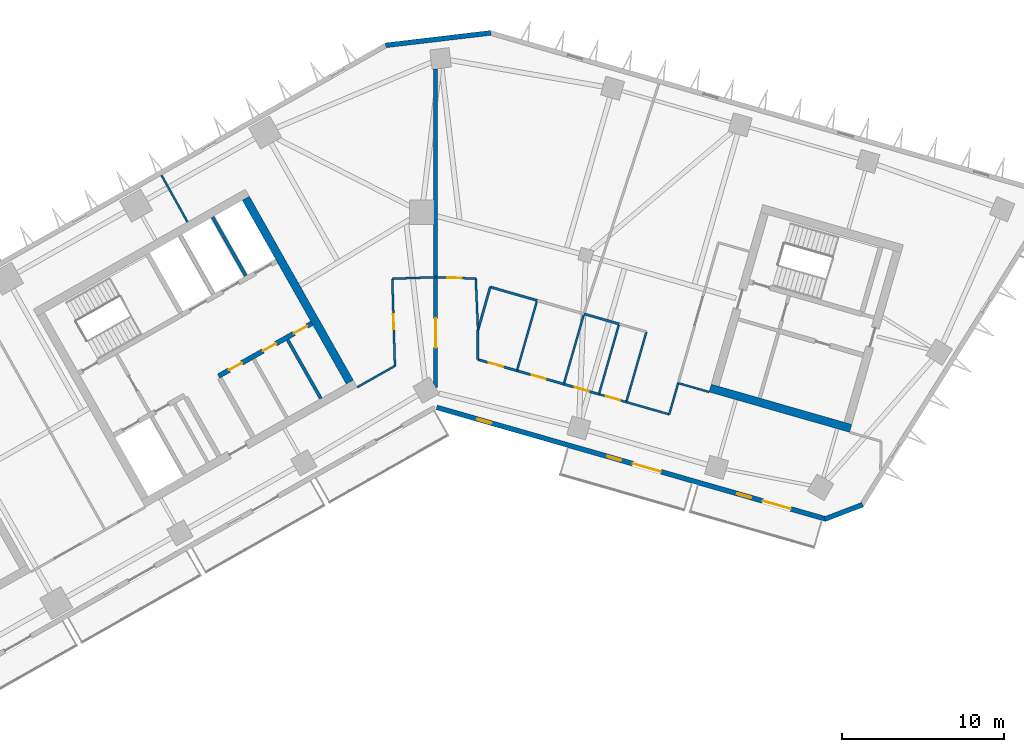
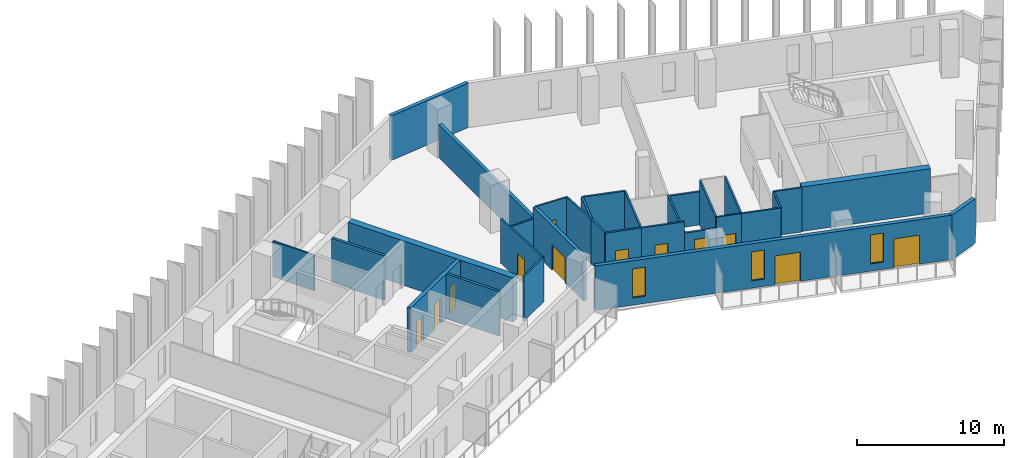
# One storey, part 5 of 10: 31 walls, 12 doors, 3 windows, 15 openings.
"""IFC4 building model written with IfcOpenShell, lengths in metres."""

from ifc_helpers import new_model, si_unit, direction, frame, frame_2d, origin, place, context, subcontext, project, spatial, rectangle, extrude, material, layer, layer_set, type_object, element, fill, save


model = new_model("IFC4")

# Units and contexts
model_context = context("Model", 3, precision=1e-05, world=origin(), true_north=direction((0.0, 1.0)))
body_context = subcontext(model_context, "Body", "Model", "MODEL_VIEW")
ifc_project = project(units=[si_unit("LENGTHUNIT", "METRE"), si_unit("AREAUNIT", "SQUARE_METRE"), si_unit("VOLUMEUNIT", "CUBIC_METRE"), si_unit("PLANEANGLEUNIT", "RADIAN"), si_unit("MASSUNIT", "GRAM", prefix="KILO")], contexts=[model_context])

# Site, building, storey
site_placement = place(None, origin())
site = spatial("IfcSite", under=ifc_project, at=site_placement, CompositionType="ELEMENT")
building_placement = place(site_placement, origin())
building = spatial("IfcBuilding", under=site, at=building_placement, Name="Binnacle Exchange Tower", CompositionType="ELEMENT")
storey_placement = place(building_placement, frame((0.0, 0.0, 186.89990234375)))
storey = spatial("IfcBuildingStorey", under=building, at=storey_placement, Name="L40", CompositionType="ELEMENT", Elevation=186.89990234375)

# Wall
ifc_material_1 = material(Name="Gypsum partition fire rated")
ifc_layer_1 = layer(ifc_material_1, 0.199951171875)
ifc_layer_set_1 = layer_set([ifc_layer_1], Name="Core partition 200")
wall_type_1 = type_object("IfcWallType", Name="Core partition 200", PredefinedType="PARTITIONING", material=ifc_layer_set_1)
wall_1_placement = place(storey_placement, frame((-9.11279296875, 52.14404296875, 0.0), z_axis=(0.0, 0.0, 1.0), x_axis=(0.492396453737, -0.870371031427, 0.0)))
element("IfcWall", 1, at=wall_1_placement, inside=storey, type_object=wall_type_1, Name="Core wall CRWC22", PredefinedType="PARTITIONING", context=body_context, shape_type="SweptSolid", body=[
    extrude(rectangle(XDim=4.14990234375, YDim=0.199951171875, at=frame_2d((2.074951171875, 0.0))), origin(), (0.0, 0.0, 1.0), 3.68017578125),
])

# Wall, openings, doors
ifc_material_2 = material(Name="Concrete C70/85", Category="concrete")
ifc_layer_2 = layer(ifc_material_2, 0.300048828125)
ifc_layer_set_2 = layer_set([ifc_layer_2], Name="Core wall - front 300")
wall_type_2 = type_object("IfcWallType", Name="Core wall - front 300", PredefinedType="SOLIDWALL", material=ifc_layer_set_2)
wall_2_placement = place(storey_placement, frame((-13.364501953125, 49.910888671875, 0.0), z_axis=(0.0, 0.0, 1.0), x_axis=(0.870356769198, 0.492421663121, 0.0)))
wall_2 = element("IfcWall", 2, at=wall_2_placement, inside=storey, type_object=wall_type_2, Name="Core wall CRWC3", PredefinedType="SOLIDWALL", context=body_context, shape_type="SweptSolid", body=[
    extrude(rectangle(XDim=6.60009765625, YDim=0.300048828125, at=frame_2d((3.300048828125, 0.0))), origin(), (0.0, 0.0, 1.0), 3.68017578125),
])
opening_1_placement = place(wall_2_placement, frame((0.75, 0.0, 0.0)))
opening_1 = element("IfcOpeningElement", 3, at=opening_1_placement, cuts=wall_2, Name="Opening DC18", PredefinedType="OPENING", context=body_context, shape_type="SweptSolid", body=[
    extrude(rectangle(XDim=0.89990234375, YDim=2.10009765625, at=frame_2d((0.449951171875, 1.050048828125))), frame((0.0, 0.159912109375, 0.0), z_axis=(0.0, -1.0, 0.0), x_axis=(1.0, 0.0, 0.0)), (0.0, 0.0, 1.0), 0.320068359375),
])
opening_2_placement = place(wall_2_placement, frame((3.14990234375, 0.0, 0.0)))
opening_2 = element("IfcOpeningElement", 4, at=opening_2_placement, cuts=wall_2, Name="Opening DC19", PredefinedType="OPENING", context=body_context, shape_type="SweptSolid", body=[
    extrude(rectangle(XDim=0.89990234375, YDim=2.10009765625, at=frame_2d((0.449951171875, 1.050048828125))), frame((0.0, 0.159912109375, 0.0), z_axis=(0.0, -1.0, 0.0), x_axis=(1.0, 0.0, 0.0)), (0.0, 0.0, 1.0), 0.320068359375),
])
opening_3_placement = place(wall_2_placement, frame((5.35009765625, 0.0, 0.0)))
opening_3 = element("IfcOpeningElement", 5, at=opening_3_placement, cuts=wall_2, Name="Opening DC20", PredefinedType="OPENING", context=body_context, shape_type="SweptSolid", body=[
    extrude(rectangle(XDim=0.89990234375, YDim=2.10009765625, at=frame_2d((0.449951171875, 1.050048828125))), frame((0.0, 0.159912109375, 0.0), z_axis=(0.0, -1.0, 0.0), x_axis=(1.0, 0.0, 0.0)), (0.0, 0.0, 1.0), 0.320068359375),
])
ifc_material_3 = material(Name="Steel door leaf", Category="steel")
door_type_1 = type_object("IfcDoorType", Name="Fire door 900", OperationType="NOTDEFINED", PredefinedType="DOOR", material=ifc_material_3)
door_1_placement = place(opening_1_placement, frame((0.89990234375, 0.0, 0.0), z_axis=(0.0, 0.0, 1.0), x_axis=(-1.0, 0.0, 0.0)))
door_1 = element("IfcDoor", 6, at=door_1_placement, inside=storey, type_object=door_type_1, Name="Core room door FIBRE ENTRY ROOM", OperationType="SINGLE_SWING_RIGHT", OverallHeight=2.10009765625, OverallWidth=0.89990234375, PredefinedType="DOOR", context=body_context, shape_type="SweptSolid", body=[
    extrude(rectangle(XDim=0.89990234375, YDim=2.10009765625, at=frame_2d((0.449951171875, 1.050048828125))), frame((0.0, 0.02490234375, 0.0), z_axis=(0.0, -1.0, 0.0), x_axis=(1.0, 0.0, 0.0)), (0.0, 0.0, 1.0), 0.050048828125),
])
fill(opening_1, door_1)
door_2_placement = place(opening_2_placement, frame((0.89990234375, 0.0, 0.0), z_axis=(0.0, 0.0, 1.0), x_axis=(-1.0, 0.0, 0.0)))
door_2 = element("IfcDoor", 7, at=door_2_placement, inside=storey, type_object=door_type_1, Name="Core room door ELECTRICAL ROOM", OperationType="SINGLE_SWING_LEFT", OverallHeight=2.10009765625, OverallWidth=0.89990234375, PredefinedType="DOOR", context=body_context, shape_type="SweptSolid", body=[
    extrude(rectangle(XDim=0.89990234375, YDim=2.10009765625, at=frame_2d((0.449951171875, 1.050048828125))), frame((0.0, 0.02490234375, 0.0), z_axis=(0.0, -1.0, 0.0), x_axis=(1.0, 0.0, 0.0)), (0.0, 0.0, 1.0), 0.050048828125),
])
fill(opening_2, door_2)
door_3_placement = place(opening_3_placement, frame((0.89990234375, 0.0, 0.0), z_axis=(0.0, 0.0, 1.0), x_axis=(-1.0, 0.0, 0.0)))
door_3 = element("IfcDoor", 8, at=door_3_placement, inside=storey, type_object=door_type_1, Name="Core room door COMMS RISER ROOM", OperationType="SINGLE_SWING_LEFT", OverallHeight=2.10009765625, OverallWidth=0.89990234375, PredefinedType="DOOR", context=body_context, shape_type="SweptSolid", body=[
    extrude(rectangle(XDim=0.89990234375, YDim=2.10009765625, at=frame_2d((0.449951171875, 1.050048828125))), frame((0.0, 0.02490234375, 0.0), z_axis=(0.0, -1.0, 0.0), x_axis=(1.0, 0.0, 0.0)), (0.0, 0.0, 1.0), 0.050048828125),
])
fill(opening_3, door_3)

# Walls
ifc_layer_3 = layer(ifc_material_2, 0.5)
ifc_layer_set_3 = layer_set([ifc_layer_3], Name="Core wall - outer 500")
wall_type_3 = type_object("IfcWallType", Name="Core wall - outer 500", PredefinedType="SOLIDWALL", material=ifc_layer_set_3)
wall_3_placement = place(storey_placement, frame((-11.686767578125, 60.856201171875, 0.0), z_axis=(0.0, 0.0, 1.0), x_axis=(0.492427267353, -0.870353598469, 0.0)))
element("IfcWall", 9, at=wall_3_placement, inside=storey, type_object=wall_type_3, Name="Core wall CRWC24", PredefinedType="SOLIDWALL", context=body_context, shape_type="SweptSolid", body=[
    extrude(rectangle(XDim=13.0, YDim=0.5, at=frame_2d((6.5, 0.0))), origin(), (0.0, 0.0, 1.0), 3.68017578125),
])
wall_4_placement = place(storey_placement, frame((16.896728515625, 49.173095703125, 0.0), z_axis=(0.0, 0.0, 1.0), x_axis=(0.96126248289, -0.275634611374, 0.0)))
element("IfcWall", 10, at=wall_4_placement, inside=storey, type_object=wall_type_3, Name="Core wall CRWD1", PredefinedType="SOLIDWALL", context=body_context, shape_type="SweptSolid", body=[
    extrude(rectangle(XDim=9.0, YDim=0.5, at=frame_2d((4.5, 0.0))), origin(), (0.0, 0.0, 1.0), 3.68017578125),
])

# Wall, openings, doors, windows
ifc_material_4 = material(Name="Bronze aluminium cladding", Category="aluminium")
ifc_layer_4 = layer(ifc_material_4, 0.300048828125)
ifc_layer_set_4 = layer_set([ifc_layer_4], Name="External wall - spandrel 300")
wall_type_4 = type_object("IfcWallType", Name="External wall - spandrel 300", PredefinedType="STANDARD", material=ifc_layer_set_4)
wall_5_placement = place(storey_placement, frame((24.04248046875, 41.10595703125, 0.0), z_axis=(0.0, 0.0, 1.0), x_axis=(-0.961261693976, 0.275637362661, 0.0)))
wall_5 = element("IfcWall", 11, at=wall_5_placement, inside=storey, type_object=wall_type_4, Name="External wall EW-G02 L40", PredefinedType="STANDARD", context=body_context, shape_type="SweptSolid", body=[
    extrude(rectangle(XDim=24.948486328125, YDim=0.300048828125, at=frame_2d((12.47412109375, 0.0))), origin(), (0.0, 0.0, 1.0), 3.68017578125),
])
opening_4_placement = place(wall_5_placement, frame((21.441162109375, 0.0, 0.60009765625)))
opening_4 = element("IfcOpeningElement", 12, at=opening_4_placement, cuts=wall_5, Name="Opening WS3", PredefinedType="OPENING", context=body_context, shape_type="SweptSolid", body=[
    extrude(rectangle(XDim=0.89990234375, YDim=2.39990234375, at=frame_2d((0.449951171875, 1.199951171875))), frame((0.0, 0.159912109375, 0.0), z_axis=(0.0, -1.0, 0.0), x_axis=(1.0, 0.0, 0.0)), (0.0, 0.0, 1.0), 0.320068359375),
])
opening_5_placement = place(wall_5_placement, frame((13.120849609375, 0.0, 0.60009765625)))
opening_5 = element("IfcOpeningElement", 13, at=opening_5_placement, cuts=wall_5, Name="Opening WS3", PredefinedType="OPENING", context=body_context, shape_type="SweptSolid", body=[
    extrude(rectangle(XDim=0.89990234375, YDim=2.39990234375, at=frame_2d((0.449951171875, 1.199951171875))), frame((0.0, 0.159912109375, 0.0), z_axis=(0.0, -1.0, 0.0), x_axis=(1.0, 0.0, 0.0)), (0.0, 0.0, 1.0), 0.320068359375),
])
opening_6_placement = place(wall_5_placement, frame((10.5908203125, 0.0, 0.0)))
opening_6 = element("IfcOpeningElement", 14, at=opening_6_placement, cuts=wall_5, Name="Opening D-FS11-06", PredefinedType="OPENING", context=body_context, shape_type="SweptSolid", body=[
    extrude(rectangle(XDim=1.800048828125, YDim=2.39990234375, at=frame_2d((0.89990234375, 1.199951171875))), frame((0.0, 0.159912109375, 0.0), z_axis=(0.0, -1.0, 0.0), x_axis=(1.0, 0.0, 0.0)), (0.0, 0.0, 1.0), 0.320068359375),
])
opening_7_placement = place(wall_5_placement, frame((4.80029296875, 0.0, 0.60009765625)))
opening_7 = element("IfcOpeningElement", 15, at=opening_7_placement, cuts=wall_5, Name="Opening WS3", PredefinedType="OPENING", context=body_context, shape_type="SweptSolid", body=[
    extrude(rectangle(XDim=0.89990234375, YDim=2.39990234375, at=frame_2d((0.449951171875, 1.199951171875))), frame((0.0, 0.159912109375, 0.0), z_axis=(0.0, -1.0, 0.0), x_axis=(1.0, 0.0, 0.0)), (0.0, 0.0, 1.0), 0.320068359375),
])
opening_8_placement = place(wall_5_placement, frame((2.270263671875, 0.0, 0.0)))
opening_8 = element("IfcOpeningElement", 16, at=opening_8_placement, cuts=wall_5, Name="Opening D-FS11-07", PredefinedType="OPENING", context=body_context, shape_type="SweptSolid", body=[
    extrude(rectangle(XDim=1.800048828125, YDim=2.39990234375, at=frame_2d((0.89990234375, 1.199951171875))), frame((0.0, 0.159912109375, 0.0), z_axis=(0.0, -1.0, 0.0), x_axis=(1.0, 0.0, 0.0)), (0.0, 0.0, 1.0), 0.320068359375),
])
ifc_material_5 = material(Name="Bronze anodised aluminium frame", Category="aluminium")
door_type_2 = type_object("IfcDoorType", Name="DB DOOR 1800x2400", OperationType="DOUBLE_DOOR_SINGLE_SWING", PredefinedType="DOOR", material=ifc_material_5)
door_4_placement = place(opening_6_placement, origin())
door_4 = element("IfcDoor", 17, at=door_4_placement, inside=storey, type_object=door_type_2, Name="Door D-FS11-06 L40", OperationType="DOUBLE_DOOR_SINGLE_SWING", OverallHeight=2.39990234375, OverallWidth=1.800048828125, PredefinedType="DOOR", context=body_context, shape_type="SweptSolid", body=[
    extrude(rectangle(XDim=1.800048828125, YDim=2.39990234375, at=frame_2d((0.89990234375, 1.199951171875))), frame((0.0, 0.02490234375, 0.0), z_axis=(0.0, -1.0, 0.0), x_axis=(1.0, 0.0, 0.0)), (0.0, 0.0, 1.0), 0.050048828125),
])
fill(opening_6, door_4)
door_5_placement = place(opening_8_placement, origin())
door_5 = element("IfcDoor", 18, at=door_5_placement, inside=storey, type_object=door_type_2, Name="Door D-FS11-07 L40", OperationType="DOUBLE_DOOR_SINGLE_SWING", OverallHeight=2.39990234375, OverallWidth=1.800048828125, PredefinedType="DOOR", context=body_context, shape_type="SweptSolid", body=[
    extrude(rectangle(XDim=1.800048828125, YDim=2.39990234375, at=frame_2d((0.89990234375, 1.199951171875))), frame((0.0, 0.02490234375, 0.0), z_axis=(0.0, -1.0, 0.0), x_axis=(1.0, 0.0, 0.0)), (0.0, 0.0, 1.0), 0.050048828125),
])
fill(opening_8, door_5)
window_type = type_object("IfcWindowType", Name="WS3 WINDOW 900x2400", PartitioningType="SINGLE_PANEL", PredefinedType="WINDOW", material=ifc_material_5)
window_1_placement = place(opening_4_placement, origin())
window_1 = element("IfcWindow", 19, at=window_1_placement, inside=storey, type_object=window_type, Name="Window WS3 L40", OverallHeight=2.39990234375, OverallWidth=0.89990234375, PartitioningType="SINGLE_PANEL", PredefinedType="WINDOW", context=body_context, shape_type="SweptSolid", body=[
    extrude(rectangle(XDim=0.89990234375, YDim=2.39990234375, at=frame_2d((0.449951171875, 1.199951171875))), frame((0.0, 0.030029296875, 0.0), z_axis=(0.0, -1.0, 0.0), x_axis=(1.0, 0.0, 0.0)), (0.0, 0.0, 1.0), 0.06005859375),
])
fill(opening_4, window_1)
window_2_placement = place(opening_5_placement, origin())
window_2 = element("IfcWindow", 20, at=window_2_placement, inside=storey, type_object=window_type, Name="Window WS3 L40", OverallHeight=2.39990234375, OverallWidth=0.89990234375, PartitioningType="SINGLE_PANEL", PredefinedType="WINDOW", context=body_context, shape_type="SweptSolid", body=[
    extrude(rectangle(XDim=0.89990234375, YDim=2.39990234375, at=frame_2d((0.449951171875, 1.199951171875))), frame((0.0, 0.030029296875, 0.0), z_axis=(0.0, -1.0, 0.0), x_axis=(1.0, 0.0, 0.0)), (0.0, 0.0, 1.0), 0.06005859375),
])
fill(opening_5, window_2)
window_3_placement = place(opening_7_placement, origin())
window_3 = element("IfcWindow", 21, at=window_3_placement, inside=storey, type_object=window_type, Name="Window WS3 L40", OverallHeight=2.39990234375, OverallWidth=0.89990234375, PartitioningType="SINGLE_PANEL", PredefinedType="WINDOW", context=body_context, shape_type="SweptSolid", body=[
    extrude(rectangle(XDim=0.89990234375, YDim=2.39990234375, at=frame_2d((0.449951171875, 1.199951171875))), frame((0.0, 0.030029296875, 0.0), z_axis=(0.0, -1.0, 0.0), x_axis=(1.0, 0.0, 0.0)), (0.0, 0.0, 1.0), 0.06005859375),
])
fill(opening_7, window_3)

# Walls
wall_6_placement = place(storey_placement, frame((26.27783203125, 41.996337890625, 0.0), z_axis=(0.0, 0.0, 1.0), x_axis=(-0.933592404159, -0.358336745112, 0.0)))
element("IfcWall", 22, at=wall_6_placement, inside=storey, type_object=wall_type_4, Name="External wall EW-G03 L40", PredefinedType="STANDARD", context=body_context, shape_type="SweptSolid", body=[
    extrude(rectangle(XDim=2.496337890625, YDim=0.300048828125, at=frame_2d((1.248046875, 0.0))), origin(), (0.0, 0.0, 1.0), 3.68017578125),
])
wall_7_placement = place(storey_placement, frame((-3.076171875, 70.27294921875, 0.0), z_axis=(0.0, 0.0, 1.0), x_axis=(0.993067743007, 0.117543429416, 0.0)))
element("IfcWall", 23, at=wall_7_placement, inside=storey, type_object=wall_type_4, Name="External wall EW-G07 L40", PredefinedType="STANDARD", context=body_context, shape_type="SweptSolid", body=[
    extrude(rectangle(XDim=6.515625, YDim=0.300048828125, at=frame_2d((3.2578125, 0.0))), origin(), (0.0, 0.0, 1.0), 3.68017578125),
])

# Wall, opening, door
ifc_material_6 = material(Name="Concrete fire wall C30/37", Category="concrete")
ifc_layer_5 = layer(ifc_material_6, 0.25)
ifc_layer_set_5 = layer_set([ifc_layer_5], Name="Fire wall - compartment 250")
wall_type_5 = type_object("IfcWallType", Name="Fire wall - compartment 250", PredefinedType="PARTITIONING", material=ifc_layer_set_5)
wall_8_placement = place(storey_placement, frame((0.0, 49.218994140625, 0.0), z_axis=(0.0, 0.0, 1.0), x_axis=(0.0, 1.0, 0.0)))
wall_8 = element("IfcWall", 24, at=wall_8_placement, inside=storey, type_object=wall_type_5, Name="Fire Wall W10", PredefinedType="PARTITIONING", context=body_context, shape_type="SweptSolid", body=[
    extrude(rectangle(XDim=6.781005859375, YDim=0.25, at=frame_2d((3.390625, 0.0))), origin(), (0.0, 0.0, 1.0), 3.68017578125),
])
opening_9_placement = place(wall_8_placement, frame((2.449951171875, 0.0, 0.0)))
opening_9 = element("IfcOpeningElement", 25, at=opening_9_placement, cuts=wall_8, Name="Opening DL38-10", PredefinedType="OPENING", context=body_context, shape_type="SweptSolid", body=[
    extrude(rectangle(XDim=1.800048828125, YDim=2.10009765625, at=frame_2d((0.89990234375, 1.050048828125))), frame((0.0, 0.135009765625, 0.0), z_axis=(0.0, -1.0, 0.0), x_axis=(1.0, 0.0, 0.0)), (0.0, 0.0, 1.0), 0.27001953125),
])
door_type_3 = type_object("IfcDoorType", Name="Fire door 1800", OperationType="NOTDEFINED", PredefinedType="DOOR", material=ifc_material_3)
door_6_placement = place(opening_9_placement, origin())
door_6 = element("IfcDoor", 26, at=door_6_placement, inside=storey, type_object=door_type_3, Name="Door DL38-10", OperationType="DOUBLE_DOOR_SINGLE_SWING", OverallHeight=2.10009765625, OverallWidth=1.800048828125, PredefinedType="DOOR", context=body_context, shape_type="SweptSolid", body=[
    extrude(rectangle(XDim=1.800048828125, YDim=2.10009765625, at=frame_2d((0.89990234375, 1.050048828125))), frame((0.0, 0.02490234375, 0.0), z_axis=(0.0, -1.0, 0.0), x_axis=(1.0, 0.0, 0.0)), (0.0, 0.0, 1.0), 0.050048828125),
])
fill(opening_9, door_6)

# Walls
wall_9_placement = place(storey_placement, frame((0.0, 56.0, 0.0), z_axis=(0.0, 0.0, 1.0), x_axis=(0.0, 1.0, 0.0)))
element("IfcWall", 27, at=wall_9_placement, inside=storey, type_object=wall_type_5, Name="Fire Wall W11", PredefinedType="PARTITIONING", context=body_context, shape_type="SweptSolid", body=[
    extrude(rectangle(XDim=12.823974609375, YDim=0.25, at=frame_2d((6.412109375, 0.0))), origin(), (0.0, 0.0, 1.0), 2.748046875),
])
ifc_layer_6 = layer(ifc_material_1, 0.14990234375)
ifc_layer_set_6 = layer_set([ifc_layer_6], Name="Fire-rated partition 150")
wall_type_6 = type_object("IfcWallType", Name="Fire-rated partition 150", PredefinedType="PARTITIONING", material=ifc_layer_set_6)
wall_10_placement = place(storey_placement, frame((2.60107421875, 50.931884765625, 0.0), z_axis=(0.0, 0.0, 1.0), x_axis=(0.001073104681, 0.999999424223, 0.0)))
element("IfcWall", 28, at=wall_10_placement, inside=storey, type_object=wall_type_6, Name="Partition W14", PredefinedType="PARTITIONING", context=body_context, shape_type="SweptSolid", body=[
    extrude(rectangle(XDim=1.820068359375, YDim=0.14990234375, at=frame_2d((0.91015625, 0.0))), origin(), (0.0, 0.0, 1.0), 3.68017578125),
])

# Wall, opening, door
wall_11_placement = place(storey_placement, frame((2.60107421875, 50.931884765625, 0.0), z_axis=(0.0, 0.0, 1.0), x_axis=(0.961265528111, -0.275623991092, 0.0)))
wall_11 = element("IfcWall", 29, at=wall_11_placement, inside=storey, type_object=wall_type_6, Name="Partition W15", PredefinedType="PARTITIONING", context=body_context, shape_type="SweptSolid", body=[
    extrude(rectangle(XDim=2.499755859375, YDim=0.14990234375, at=frame_2d((1.25, 0.0))), origin(), (0.0, 0.0, 1.0), 3.68017578125),
])
opening_10_placement = place(wall_11_placement, frame((0.699951171875, 0.0, 0.0)))
opening_10 = element("IfcOpeningElement", 30, at=opening_10_placement, cuts=wall_11, Name="Opening DL38-04", PredefinedType="OPENING", context=body_context, shape_type="SweptSolid", body=[
    extrude(rectangle(XDim=0.89990234375, YDim=2.10009765625, at=frame_2d((0.449951171875, 1.050048828125))), frame((0.0, 0.0849609375, 0.0), z_axis=(0.0, -1.0, 0.0), x_axis=(1.0, 0.0, 0.0)), (0.0, 0.0, 1.0), 0.169921875),
])
door_7_placement = place(opening_10_placement, origin())
door_7 = element("IfcDoor", 31, at=door_7_placement, inside=storey, type_object=door_type_1, Name="Door DL38-04", OperationType="SINGLE_SWING_LEFT", OverallHeight=2.10009765625, OverallWidth=0.89990234375, PredefinedType="DOOR", context=body_context, shape_type="SweptSolid", body=[
    extrude(rectangle(XDim=0.89990234375, YDim=2.10009765625, at=frame_2d((0.449951171875, 1.050048828125))), frame((0.0, 0.02490234375, 0.0), z_axis=(0.0, -1.0, 0.0), x_axis=(1.0, 0.0, 0.0)), (0.0, 0.0, 1.0), 0.050048828125),
])
fill(opening_10, door_7)

# Walls
wall_12_placement = place(storey_placement, frame((2.60302734375, 52.751953125, 0.0), z_axis=(0.0, 0.0, 1.0), x_axis=(0.27569433145, 0.961245356611, 0.0)))
element("IfcWall", 32, at=wall_12_placement, inside=storey, type_object=wall_type_6, Name="Partition W16", PredefinedType="PARTITIONING", context=body_context, shape_type="SweptSolid", body=[
    extrude(rectangle(XDim=2.74951171875, YDim=0.14990234375, at=frame_2d((1.374755859375, 0.0))), origin(), (0.0, 0.0, 1.0), 3.68017578125),
])
wall_13_placement = place(storey_placement, frame((3.361083984375, 55.39501953125, 0.0), z_axis=(0.0, 0.0, 1.0), x_axis=(0.961268664977, -0.27561305073, 0.0)))
element("IfcWall", 33, at=wall_13_placement, inside=storey, type_object=wall_type_6, Name="Partition W17", PredefinedType="PARTITIONING", context=body_context, shape_type="SweptSolid", body=[
    extrude(rectangle(XDim=3.000244140625, YDim=0.14990234375, at=frame_2d((1.5, 0.0))), origin(), (0.0, 0.0, 1.0), 3.68017578125),
])

# Wall, opening, door
wall_14_placement = place(storey_placement, frame((5.00390625, 50.242919921875, 0.0), z_axis=(0.0, 0.0, 1.0), x_axis=(0.961268664977, -0.27561305073, 0.0)))
wall_14 = element("IfcWall", 34, at=wall_14_placement, inside=storey, type_object=wall_type_6, Name="Partition W19", PredefinedType="PARTITIONING", context=body_context, shape_type="SweptSolid", body=[
    extrude(rectangle(XDim=3.000244140625, YDim=0.14990234375, at=frame_2d((1.5, 0.0))), origin(), (0.0, 0.0, 1.0), 3.68017578125),
])
opening_11_placement = place(wall_14_placement, frame((0.949951171875, 0.0, 0.0)))
opening_11 = element("IfcOpeningElement", 35, at=opening_11_placement, cuts=wall_14, Name="Opening DL38-05", PredefinedType="OPENING", context=body_context, shape_type="SweptSolid", body=[
    extrude(rectangle(XDim=0.89990234375, YDim=2.10009765625, at=frame_2d((0.449951171875, 1.050048828125))), frame((0.0, 0.0849609375, 0.0), z_axis=(0.0, -1.0, 0.0), x_axis=(1.0, 0.0, 0.0)), (0.0, 0.0, 1.0), 0.169921875),
])
door_8_placement = place(opening_11_placement, origin())
door_8 = element("IfcDoor", 36, at=door_8_placement, inside=storey, type_object=door_type_1, Name="Door DL38-05", OperationType="SINGLE_SWING_LEFT", OverallHeight=2.10009765625, OverallWidth=0.89990234375, PredefinedType="DOOR", context=body_context, shape_type="SweptSolid", body=[
    extrude(rectangle(XDim=0.89990234375, YDim=2.10009765625, at=frame_2d((0.449951171875, 1.050048828125))), frame((0.0, 0.02490234375, 0.0), z_axis=(0.0, -1.0, 0.0), x_axis=(1.0, 0.0, 0.0)), (0.0, 0.0, 1.0), 0.050048828125),
])
fill(opening_11, door_8)

wall_15_placement = place(storey_placement, frame((7.887939453125, 49.416015625, 0.0), z_axis=(0.0, 0.0, 1.0), x_axis=(0.9611628742, -0.275981755301, 0.0)))
wall_15 = element("IfcWall", 37, at=wall_15_placement, inside=storey, type_object=wall_type_6, Name="Partition W22", PredefinedType="PARTITIONING", context=body_context, shape_type="SweptSolid", body=[
    extrude(rectangle(XDim=2.25048828125, YDim=0.14990234375, at=frame_2d((1.125244140625, 0.0))), origin(), (0.0, 0.0, 1.0), 2.748046875),
])
opening_12_placement = place(wall_15_placement, frame((0.699951171875, 0.0, 0.0)))
opening_12 = element("IfcOpeningElement", 38, at=opening_12_placement, cuts=wall_15, Name="Opening DL38-06", PredefinedType="OPENING", context=body_context, shape_type="SweptSolid", body=[
    extrude(rectangle(XDim=0.89990234375, YDim=2.10009765625, at=frame_2d((0.449951171875, 1.050048828125))), frame((0.0, 0.0849609375, 0.0), z_axis=(0.0, -1.0, 0.0), x_axis=(1.0, 0.0, 0.0)), (0.0, 0.0, 1.0), 0.169921875),
])
door_9_placement = place(opening_12_placement, origin())
door_9 = element("IfcDoor", 39, at=door_9_placement, inside=storey, type_object=door_type_1, Name="Door DL38-06", OperationType="SINGLE_SWING_RIGHT", OverallHeight=2.10009765625, OverallWidth=0.89990234375, PredefinedType="DOOR", context=body_context, shape_type="SweptSolid", body=[
    extrude(rectangle(XDim=0.89990234375, YDim=2.10009765625, at=frame_2d((0.449951171875, 1.050048828125))), frame((0.0, 0.02490234375, 0.0), z_axis=(0.0, -1.0, 0.0), x_axis=(1.0, 0.0, 0.0)), (0.0, 0.0, 1.0), 0.050048828125),
])
fill(opening_12, door_9)

# Walls
wall_16_placement = place(storey_placement, frame((9.12890625, 53.740966796875, 0.0), z_axis=(0.0, 0.0, 1.0), x_axis=(0.961273691875, -0.275595517578, 0.0)))
element("IfcWall", 40, at=wall_16_placement, inside=storey, type_object=wall_type_6, Name="Partition W23", PredefinedType="PARTITIONING", context=body_context, shape_type="SweptSolid", body=[
    extrude(rectangle(XDim=2.249267578125, YDim=0.14990234375, at=frame_2d((1.12451171875, 0.0))), origin(), (0.0, 0.0, 1.0), 2.748046875),
])
ifc_material_7 = material(Name="Gypsum partition")
ifc_layer_7 = layer(ifc_material_7, 0.125)
ifc_layer_set_7 = layer_set([ifc_layer_7], Name="Partition 125")
wall_type_7 = type_object("IfcWallType", Name="Partition 125", PredefinedType="PARTITIONING", material=ifc_layer_set_7)
wall_17_placement = place(storey_placement, frame((-16.87890625, 62.278076171875, 0.0), z_axis=(0.0, 0.0, 1.0), x_axis=(0.486580163018, -0.873635933875, 0.0)))
element("IfcWall", 41, at=wall_17_placement, inside=storey, type_object=wall_type_7, Name="Partition W06", PredefinedType="PARTITIONING", context=body_context, shape_type="SweptSolid", body=[
    extrude(rectangle(XDim=3.29443359375, YDim=0.125, at=frame_2d((1.647216796875, 0.0))), origin(), (0.0, 0.0, 1.0), 2.960205078125),
])
wall_18_placement = place(storey_placement, frame((-4.821044921875, 49.22998046875, 0.0), z_axis=(0.0, 0.0, 1.0), x_axis=(0.870371217631, 0.492396124598, 0.0)))
element("IfcWall", 42, at=wall_18_placement, inside=storey, type_object=wall_type_7, Name="Partition W07", PredefinedType="PARTITIONING", context=body_context, shape_type="SweptSolid", body=[
    extrude(rectangle(XDim=2.65869140625, YDim=0.125, at=frame_2d((1.329345703125, 0.0))), origin(), (0.0, 0.0, 1.0), 3.68017578125),
])

# Wall, opening, door
wall_19_placement = place(storey_placement, frame((-2.669921875, 55.904052734375, 0.0), z_axis=(0.0, 0.0, 1.0), x_axis=(0.030338701418, -0.999539675649, 0.0)))
wall_19 = element("IfcWall", 43, at=wall_19_placement, inside=storey, type_object=wall_type_7, Name="Partition W08", PredefinedType="PARTITIONING", context=body_context, shape_type="SweptSolid", body=[
    extrude(rectangle(XDim=5.367431640625, YDim=0.125, at=frame_2d((2.68359375, 0.0))), origin(), (0.0, 0.0, 1.0), 3.68017578125),
])
opening_13_placement = place(wall_19_placement, frame((2.199951171875, 0.0, 0.0)))
opening_13 = element("IfcOpeningElement", 44, at=opening_13_placement, cuts=wall_19, Name="Opening DL38-03", PredefinedType="OPENING", context=body_context, shape_type="SweptSolid", body=[
    extrude(rectangle(XDim=0.89990234375, YDim=2.10009765625, at=frame_2d((0.449951171875, 1.050048828125))), frame((0.0, 0.072509765625, 0.0), z_axis=(0.0, -1.0, 0.0), x_axis=(1.0, 0.0, 0.0)), (0.0, 0.0, 1.0), 0.14501953125),
])
ifc_material_8 = material(Name="Timber door leaf", Category="wood")
door_type_4 = type_object("IfcDoorType", Name="Door 900", OperationType="NOTDEFINED", PredefinedType="DOOR", material=ifc_material_8)
door_10_placement = place(opening_13_placement, frame((0.89990234375, 0.0, 0.0), z_axis=(0.0, 0.0, 1.0), x_axis=(-1.0, 0.0, 0.0)))
door_10 = element("IfcDoor", 45, at=door_10_placement, inside=storey, type_object=door_type_4, Name="Door DL38-03", OperationType="SINGLE_SWING_RIGHT", OverallHeight=2.10009765625, OverallWidth=0.89990234375, PredefinedType="DOOR", context=body_context, shape_type="SweptSolid", body=[
    extrude(rectangle(XDim=0.89990234375, YDim=2.10009765625, at=frame_2d((0.449951171875, 1.050048828125))), frame((0.0, 0.02490234375, 0.0), z_axis=(0.0, -1.0, 0.0), x_axis=(1.0, 0.0, 0.0)), (0.0, 0.0, 1.0), 0.050048828125),
])
fill(opening_13, door_10)

# Wall
wall_20_placement = place(storey_placement, frame((-2.669921875, 55.904052734375, 0.0), z_axis=(0.0, 0.0, 1.0), x_axis=(0.999354913865, 0.03591317494, 0.0)))
element("IfcWall", 46, at=wall_20_placement, inside=storey, type_object=wall_type_7, Name="Partition W09", PredefinedType="PARTITIONING", context=body_context, shape_type="SweptSolid", body=[
    extrude(rectangle(XDim=2.671630859375, YDim=0.125, at=frame_2d((1.3359375, 0.0))), origin(), (0.0, 0.0, 1.0), 2.748046875),
])

# Wall, opening, door
wall_21_placement = place(storey_placement, frame((0.0, 56.0, 0.0), z_axis=(0.0, 0.0, 1.0), x_axis=(0.999349313684, -0.036068673934, 0.0)))
wall_21 = element("IfcWall", 47, at=wall_21_placement, inside=storey, type_object=wall_type_7, Name="Partition W12", PredefinedType="PARTITIONING", context=body_context, shape_type="SweptSolid", body=[
    extrude(rectangle(XDim=2.470703125, YDim=0.125, at=frame_2d((1.2353515625, 0.0))), origin(), (0.0, 0.0, 1.0), 3.68017578125),
])
opening_14_placement = place(wall_21_placement, frame((0.699951171875, 0.0, 0.0)))
opening_14 = element("IfcOpeningElement", 48, at=opening_14_placement, cuts=wall_21, Name="Opening DL38-08", PredefinedType="OPENING", context=body_context, shape_type="SweptSolid", body=[
    extrude(rectangle(XDim=0.89990234375, YDim=2.10009765625, at=frame_2d((0.449951171875, 1.050048828125))), frame((0.0, 0.072509765625, 0.0), z_axis=(0.0, -1.0, 0.0), x_axis=(1.0, 0.0, 0.0)), (0.0, 0.0, 1.0), 0.14501953125),
])
door_11_placement = place(opening_14_placement, origin())
door_11 = element("IfcDoor", 49, at=door_11_placement, inside=storey, type_object=door_type_4, Name="Door DL38-08", OperationType="SINGLE_SWING_LEFT", OverallHeight=2.10009765625, OverallWidth=0.89990234375, PredefinedType="DOOR", context=body_context, shape_type="SweptSolid", body=[
    extrude(rectangle(XDim=0.89990234375, YDim=2.10009765625, at=frame_2d((0.449951171875, 1.050048828125))), frame((0.0, 0.02490234375, 0.0), z_axis=(0.0, -1.0, 0.0), x_axis=(1.0, 0.0, 0.0)), (0.0, 0.0, 1.0), 0.050048828125),
])
fill(opening_14, door_11)

# Walls
wall_22_placement = place(storey_placement, frame((2.468994140625, 55.910888671875, 0.0), z_axis=(0.0, 0.0, 1.0), x_axis=(0.042391721597, -0.99910106693, 0.0)))
element("IfcWall", 50, at=wall_22_placement, inside=storey, type_object=wall_type_7, Name="Partition W13", PredefinedType="PARTITIONING", context=body_context, shape_type="SweptSolid", body=[
    extrude(rectangle(XDim=3.161865234375, YDim=0.125, at=frame_2d((1.5810546875, 0.0))), origin(), (0.0, 0.0, 1.0), 3.68017578125),
])
wall_23_placement = place(storey_placement, frame((5.00390625, 50.242919921875, 0.0), z_axis=(0.0, 0.0, 1.0), x_axis=(0.275838825927, 0.961203902464, 0.0)))
element("IfcWall", 51, at=wall_23_placement, inside=storey, type_object=wall_type_7, Name="Partition W18", PredefinedType="PARTITIONING", context=body_context, shape_type="SweptSolid", body=[
    extrude(rectangle(XDim=4.499755859375, YDim=0.125, at=frame_2d((2.25, 0.0))), origin(), (0.0, 0.0, 1.0), 3.68017578125),
])
wall_24_placement = place(storey_placement, frame((7.887939453125, 49.416015625, 0.0), z_axis=(0.0, 0.0, 1.0), x_axis=(0.275803080638, 0.96121415965, 0.0)))
element("IfcWall", 52, at=wall_24_placement, inside=storey, type_object=wall_type_7, Name="Partition W21", PredefinedType="PARTITIONING", context=body_context, shape_type="SweptSolid", body=[
    extrude(rectangle(XDim=4.49951171875, YDim=0.125, at=frame_2d((2.249755859375, 0.0))), origin(), (0.0, 0.0, 1.0), 2.85205078125),
])
wall_25_placement = place(storey_placement, frame((10.051025390625, 48.794921875, 0.0), z_axis=(0.0, 0.0, 1.0), x_axis=(0.275530671241, 0.961292280841, 0.0)))
element("IfcWall", 53, at=wall_25_placement, inside=storey, type_object=wall_type_7, Name="Partition W25", PredefinedType="PARTITIONING", context=body_context, shape_type="SweptSolid", body=[
    extrude(rectangle(XDim=4.50048828125, YDim=0.125, at=frame_2d((2.250244140625, 0.0))), origin(), (0.0, 0.0, 1.0), 3.68017578125),
])

# Wall, opening, door
wall_26_placement = place(storey_placement, frame((10.051025390625, 48.794921875, 0.0), z_axis=(0.0, 0.0, 1.0), x_axis=(0.961313033798, -0.275458256455, 0.0)))
wall_26 = element("IfcWall", 54, at=wall_26_placement, inside=storey, type_object=wall_type_7, Name="Partition W26", PredefinedType="PARTITIONING", context=body_context, shape_type="SweptSolid", body=[
    extrude(rectangle(XDim=1.74951171875, YDim=0.125, at=frame_2d((0.874755859375, 0.0))), origin(), (0.0, 0.0, 1.0), 3.68017578125),
])
opening_15_placement = place(wall_26_placement, frame((0.449951171875, 0.0, 0.0)))
opening_15 = element("IfcOpeningElement", 55, at=opening_15_placement, cuts=wall_26, Name="Opening DL38-07", PredefinedType="OPENING", context=body_context, shape_type="SweptSolid", body=[
    extrude(rectangle(XDim=0.89990234375, YDim=2.10009765625, at=frame_2d((0.449951171875, 1.050048828125))), frame((0.0, 0.072509765625, 0.0), z_axis=(0.0, -1.0, 0.0), x_axis=(1.0, 0.0, 0.0)), (0.0, 0.0, 1.0), 0.14501953125),
])
door_12_placement = place(opening_15_placement, origin())
door_12 = element("IfcDoor", 56, at=door_12_placement, inside=storey, type_object=door_type_4, Name="Door DL38-07", OperationType="SINGLE_SWING_RIGHT", OverallHeight=2.10009765625, OverallWidth=0.89990234375, PredefinedType="DOOR", context=body_context, shape_type="SweptSolid", body=[
    extrude(rectangle(XDim=0.89990234375, YDim=2.10009765625, at=frame_2d((0.449951171875, 1.050048828125))), frame((0.0, 0.02490234375, 0.0), z_axis=(0.0, -1.0, 0.0), x_axis=(1.0, 0.0, 0.0)), (0.0, 0.0, 1.0), 0.050048828125),
])
fill(opening_15, door_12)

# Walls
wall_27_placement = place(storey_placement, frame((11.73291015625, 48.31298828125, 0.0), z_axis=(0.0, 0.0, 1.0), x_axis=(0.275795676316, 0.961216284155, 0.0)))
element("IfcWall", 57, at=wall_27_placement, inside=storey, type_object=wall_type_7, Name="Partition W28", PredefinedType="PARTITIONING", context=body_context, shape_type="SweptSolid", body=[
    extrude(rectangle(XDim=4.50048828125, YDim=0.125, at=frame_2d((2.250244140625, 0.0))), origin(), (0.0, 0.0, 1.0), 3.68017578125),
])
wall_28_placement = place(storey_placement, frame((11.73291015625, 48.31298828125, 0.0), z_axis=(0.0, 0.0, 1.0), x_axis=(0.961272337704, -0.275600240865, 0.0)))
element("IfcWall", 58, at=wall_28_placement, inside=storey, type_object=wall_type_7, Name="Partition W29", PredefinedType="PARTITIONING", context=body_context, shape_type="SweptSolid", body=[
    extrude(rectangle(XDim=2.75048828125, YDim=0.125, at=frame_2d((1.375244140625, 0.0))), origin(), (0.0, 0.0, 1.0), 3.68017578125),
])
wall_29_placement = place(storey_placement, frame((14.376953125, 47.554931640625, 0.0), z_axis=(0.0, 0.0, 1.0), x_axis=(0.275446387355, 0.961316434736, 0.0)))
element("IfcWall", 59, at=wall_29_placement, inside=storey, type_object=wall_type_7, Name="Partition W30", PredefinedType="PARTITIONING", context=body_context, shape_type="SweptSolid", body=[
    extrude(rectangle(XDim=2.00048828125, YDim=0.125, at=frame_2d((1.000244140625, 0.0))), origin(), (0.0, 0.0, 1.0), 3.68017578125),
])
wall_30_placement = place(storey_placement, frame((14.927978515625, 49.47802734375, 0.0), z_axis=(0.0, 0.0, 1.0), x_axis=(0.961243778232, -0.27569983462, 0.0)))
element("IfcWall", 60, at=wall_30_placement, inside=storey, type_object=wall_type_7, Name="Partition W31", PredefinedType="PARTITIONING", context=body_context, shape_type="SweptSolid", body=[
    extrude(rectangle(XDim=1.9765625, YDim=0.125, at=frame_2d((0.98828125, 0.0))), origin(), (0.0, 0.0, 1.0), 3.68017578125),
])
ifc_material_9 = material(Name="Masonry block wall", Category="masonry")
ifc_layer_8 = layer(ifc_material_9, 0.199951171875)
ifc_layer_set_8 = layer_set([ifc_layer_8], Name="Shaft wall 200")
wall_type_8 = type_object("IfcWallType", Name="Shaft wall 200", PredefinedType="SOLIDWALL", material=ifc_layer_set_8)
wall_31_placement = place(storey_placement, frame((-13.73193359375, 59.698974609375, 0.0), z_axis=(0.0, 0.0, 1.0), x_axis=(0.492396453737, -0.870371031427, 0.0)))
element("IfcWall", 61, at=wall_31_placement, inside=storey, type_object=wall_type_8, Name="Core wall CRWC21", PredefinedType="SOLIDWALL", context=body_context, shape_type="SweptSolid", body=[
    extrude(rectangle(XDim=4.14990234375, YDim=0.199951171875, at=frame_2d((2.074951171875, 0.0))), origin(), (0.0, 0.0, 1.0), 3.68017578125),
])

save(model, "model.ifc")
